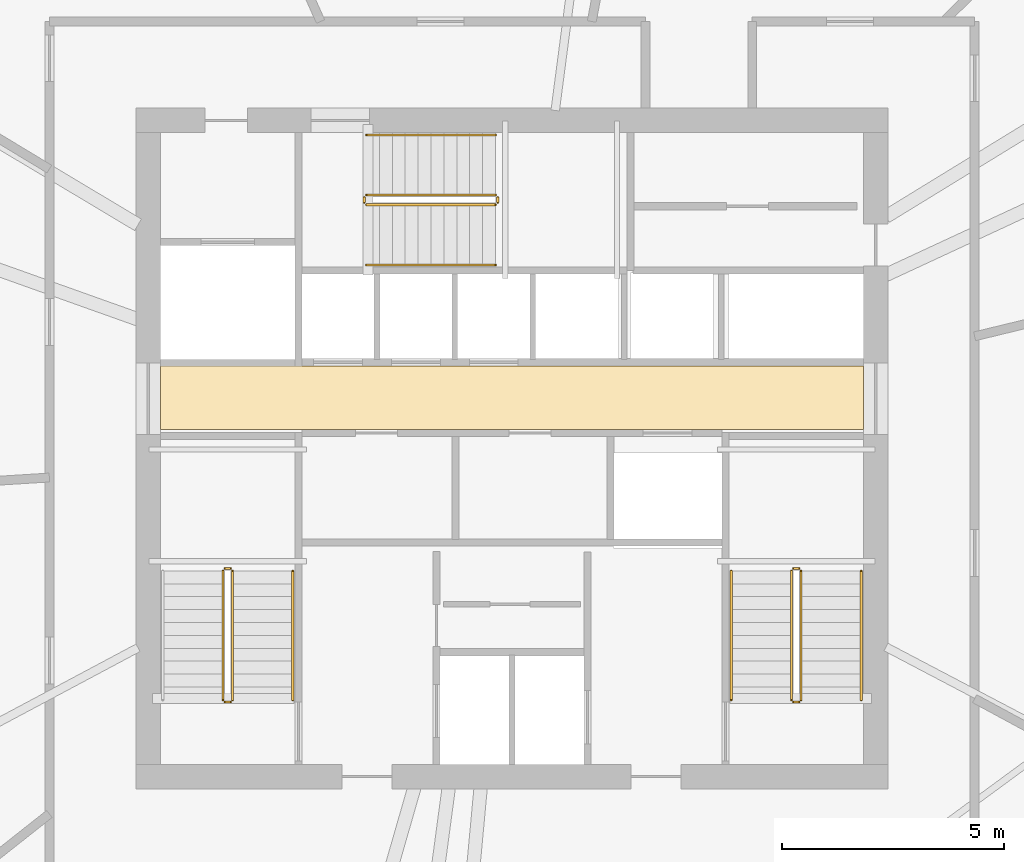
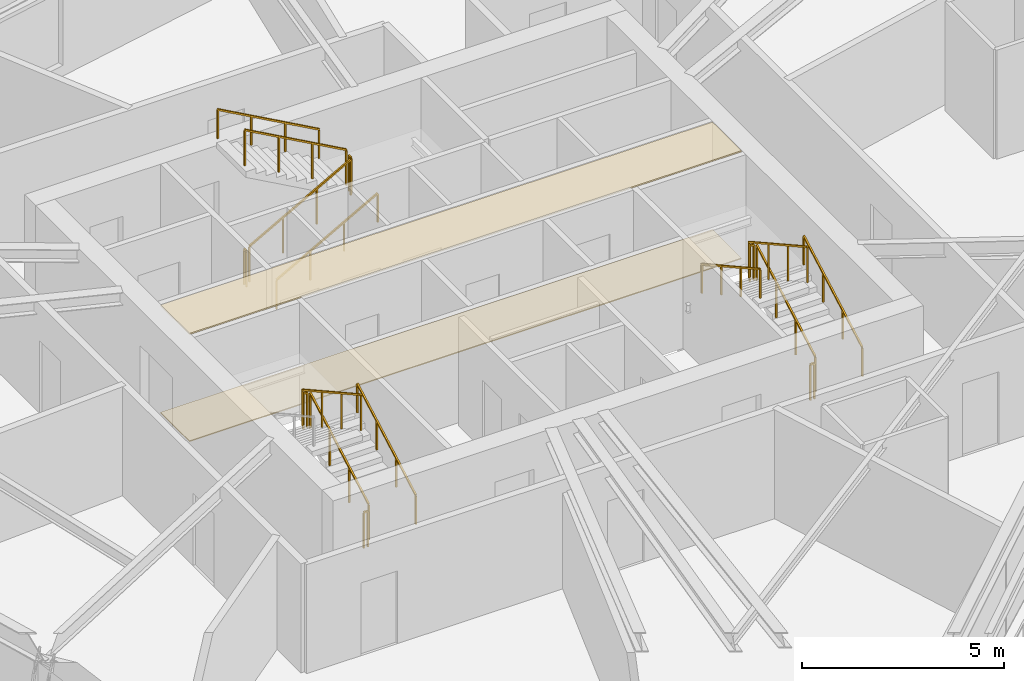
# One storey, part 14 of 15: 17 railings, 2 coverings.
"""IFC4 building model written with IfcOpenShell, lengths in metres."""

import ifcopenshell
import ifcopenshell.guid

model = None  # the IFC model being written
_history = None  # IfcOwnerHistory: only IFC2X3 demands one
_inside = {}  # id of a spatial element -> (the spatial element, [elements in it])
_under = {}  # id of a project, library or spatial element -> (it, [spatial elements below it])
_declared = {}  # id of a project -> (the project, [libraries it declares])
_typed = {}  # id of a type object -> (the type object, [elements of that type])
_made_of = {}  # id of a material, layer set ... -> (it, [elements and type objects made of it])


def new_model(schema):
    """Start an empty IFC model of exactly this schema.

    Asked for "IFC4X3", IfcOpenShell would pick the latest addendum, in which some entities
    have other attributes; the version numbers below select the first issue.
    IFC2X3 requires an IfcOwnerHistory on every rooted entity: one is made here for all.
    """
    global model, _history
    if schema == "IFC4X3":
        model = ifcopenshell.file(schema_version=(4, 3, 0, 0))
    else:
        model = ifcopenshell.file(schema=schema)
    _inside.clear()
    _under.clear()
    _declared.clear()
    _typed.clear()
    _made_of.clear()
    _history = None
    if model.schema == "IFC2X3":
        org = make("IfcOrganization", Name="unknown")
        user = make(
            "IfcPersonAndOrganization",
            ThePerson=make("IfcPerson", FamilyName="unknown"),
            TheOrganization=org,
        )
        app = make(
            "IfcApplication",
            ApplicationDeveloper=org,
            Version="unknown",
            ApplicationFullName="unknown",
            ApplicationIdentifier="unknown",
        )
        _history = make(
            "IfcOwnerHistory",
            OwningUser=user,
            OwningApplication=app,
            ChangeAction="ADDED",
            CreationDate=0,
        )
    return model


def make(cls, **values):
    """One entity of the class cls with the attributes given. An attribute that is None is left unset."""
    return model.create_entity(
        cls, **{name: value for name, value in values.items() if value is not None}
    )


def rooted(cls, **values):
    """An entity with a GlobalId (a new one), such as an element, a storey or a relation."""
    return make(cls, GlobalId=ifcopenshell.guid.new(), OwnerHistory=_history, **values)


def si_unit(unit_type, name, prefix=None):
    """IfcSIUnit, for example si_unit("LENGTHUNIT", "METRE", prefix="MILLI")."""
    return make("IfcSIUnit", UnitType=unit_type, Prefix=prefix, Name=name)


def assignment(units):
    """IfcUnitAssignment: the units of a project."""
    return None if units is None else make("IfcUnitAssignment", Units=units)


def point(xyz):
    """IfcCartesianPoint."""
    return None if xyz is None else make("IfcCartesianPoint", Coordinates=xyz)


def direction(xyz):
    """IfcDirection."""
    return None if xyz is None else make("IfcDirection", DirectionRatios=xyz)


def frame(location, z_axis=None, x_axis=None):
    """IfcAxis2Placement3D, a coordinate frame: its origin and axes. An axis left out is left unset."""
    return make(
        "IfcAxis2Placement3D",
        Location=point(location),
        Axis=direction(z_axis),
        RefDirection=direction(x_axis),
    )


def frame_2d(location, x_axis=None):
    """IfcAxis2Placement2D, a coordinate frame in the plane: its origin and x axis."""
    return make(
        "IfcAxis2Placement2D", Location=point(location), RefDirection=direction(x_axis)
    )


def origin():
    """The frame at (0, 0, 0) with its axes left unset."""
    return frame((0.0, 0.0, 0.0))


def origin_2d():
    """The frame at (0, 0) in the plane with its x axis left unset."""
    return frame_2d((0.0, 0.0))


def place(relative_to, where):
    """IfcLocalPlacement: puts the frame where relative to a parent placement (None: the world)."""
    return make(
        "IfcLocalPlacement", PlacementRelTo=relative_to, RelativePlacement=where
    )


def context(
    kind, dimensions, precision=None, world=None, true_north=None, identifier=None
):
    """IfcGeometricRepresentationContext, for example the 3D "Model" context."""
    return make(
        "IfcGeometricRepresentationContext",
        ContextIdentifier=identifier,
        ContextType=kind,
        CoordinateSpaceDimension=dimensions,
        Precision=precision,
        WorldCoordinateSystem=world,
        TrueNorth=true_north,
    )


def subcontext(parent, identifier, kind, view, scale=None):
    """IfcGeometricRepresentationSubContext, for example "Body" below "Model"."""
    return make(
        "IfcGeometricRepresentationSubContext",
        ContextIdentifier=identifier,
        ContextType=kind,
        ParentContext=parent,
        TargetScale=scale,
        TargetView=view,
    )


def project(units=None, contexts=None):
    """IfcProject with its units and contexts."""
    return rooted(
        "IfcProject",
        Name="project",
        RepresentationContexts=contexts,
        UnitsInContext=assignment(units),
    )


def spatial(cls, under=None, at=None, **own):
    """A site, building, storey or space (cls), placed at a placement, below another one or the project."""
    s = rooted(cls, ObjectPlacement=at, **own)
    if under is not None:
        _under.setdefault(under.id(), (under, []))[1].append(s)
    return s


def polyline(points):
    """IfcPolyline through the points."""
    return make("IfcPolyline", Points=[point(p) for p in points])


def profile(cls, at=None, kind="AREA", **sizes):
    """A parametric profile (cls). Its sizes go by their IFC names, for example OverallWidth=200.0."""
    return make(cls, ProfileType=kind, Position=at, **sizes)


def rectangle(**sizes):
    """IfcRectangleProfileDef."""
    return profile("IfcRectangleProfileDef", **sizes)


def outline(outer, holes=None, kind="AREA"):
    """IfcArbitraryClosedProfileDef: a profile drawn as a closed curve; with holes, ...WithVoids."""
    if holes is None:
        return make("IfcArbitraryClosedProfileDef", ProfileType=kind, OuterCurve=outer)
    return make(
        "IfcArbitraryProfileDefWithVoids",
        ProfileType=kind,
        OuterCurve=outer,
        InnerCurves=holes,
    )


def extrude(swept, where, along, depth):
    """IfcExtrudedAreaSolid: the profile swept, set in the frame where, extruded along a direction by depth."""
    return make(
        "IfcExtrudedAreaSolid",
        SweptArea=swept,
        Position=where,
        ExtrudedDirection=direction(along),
        Depth=depth,
    )


def shape(context_of_items, identifier, shape_type, items):
    """IfcShapeRepresentation: the items that make up one representation, for example the "Body"."""
    return make(
        "IfcShapeRepresentation",
        ContextOfItems=context_of_items,
        RepresentationIdentifier=identifier,
        RepresentationType=shape_type,
        Items=items,
    )


def material(Name=None, Category=None):
    """IfcMaterial."""
    return make("IfcMaterial", Name=Name, Category=Category)


def layer(
    of_material, thickness, ventilated=None, Name=None, Category=None, Priority=None
):
    """IfcMaterialLayer: one layer of a wall or slab, of a material (None: an air gap)."""
    return make(
        "IfcMaterialLayer",
        Material=of_material,
        LayerThickness=thickness,
        IsVentilated=ventilated,
        Name=Name,
        Category=Category,
        Priority=Priority,
    )


def layer_set(layers, Name=None):
    """IfcMaterialLayerSet."""
    return make("IfcMaterialLayerSet", MaterialLayers=layers, LayerSetName=Name)


def made_of(thing, what):
    """Note that an element or type object is made of a material, layer set ...; save() writes the relation."""
    if what is not None:
        _made_of.setdefault(what.id(), (what, []))[1].append(thing)
    return thing


def type_object(cls, material=None, **own):
    """A type object (cls), such as IfcWallType, which elements share."""
    return made_of(rooted(cls, **own), material)


def element(
    cls,
    number,
    at=None,
    inside=None,
    cuts=None,
    type_object=None,
    material=None,
    context=None,
    identifier="Body",
    shape_type=None,
    held_by="IfcProductDefinitionShape",
    body=None,
    shapes=None,
    **own,
):
    """One element of the class cls, such as IfcWall. Its Tag is "e" and its number.

    at: its placement. inside: the storey or other place that contains it. cuts: it is an
    opening in that element (IfcRelVoidsElement). A single representation is given by context,
    identifier, shape_type and body (its items); several are given by shapes. held_by: the class
    of the entity that holds the representations. save() writes the other relations.
    """
    e = rooted(cls, Tag="e%d" % number, ObjectPlacement=at, **own)
    if body is not None:
        shapes = [shape(context, identifier, shape_type, body)]
    if shapes is not None:
        e.Representation = make(held_by, Representations=shapes)
    if inside is not None:
        _inside.setdefault(inside.id(), (inside, []))[1].append(e)
    if cuts is not None:
        rooted(
            "IfcRelVoidsElement", RelatingBuildingElement=cuts, RelatedOpeningElement=e
        )
    if type_object is not None:
        _typed.setdefault(type_object.id(), (type_object, []))[1].append(e)
    return made_of(e, material)


def aggregate(whole, parts):
    """IfcRelAggregates: a whole, such as a stair, and the parts it consists of."""
    return rooted("IfcRelAggregates", RelatingObject=whole, RelatedObjects=parts)


def save(model, path):
    """Write the relations noted so far, then the file.

    IfcRelAggregates (storeys below a building ...), IfcRelContainedInSpatialStructure (elements
    in a storey), IfcRelDefinesByType, IfcRelAssociatesMaterial and IfcRelDeclares: one each for
    every whole, place, type object, material and project.
    """
    for whole, parts in _under.values():
        aggregate(whole, parts)
    for where, things in _inside.values():
        rooted(
            "IfcRelContainedInSpatialStructure",
            RelatedElements=things,
            RelatingStructure=where,
        )
    for kind, things in _typed.values():
        rooted("IfcRelDefinesByType", RelatedObjects=things, RelatingType=kind)
    for what, things in _made_of.values():
        rooted("IfcRelAssociatesMaterial", RelatedObjects=things, RelatingMaterial=what)
    for by, libraries in _declared.values():
        rooted("IfcRelDeclares", RelatingContext=by, RelatedDefinitions=libraries)
    model.write(path)


model = new_model("IFC4")

# Units and contexts
model_context = context("Model", 3, precision=1e-05, world=origin(), true_north=direction((0.0, 1.0)))
body_context = subcontext(model_context, "Body", "Model", "MODEL_VIEW")
ifc_project = project(units=[si_unit("LENGTHUNIT", "METRE"), si_unit("AREAUNIT", "SQUARE_METRE"), si_unit("VOLUMEUNIT", "CUBIC_METRE"), si_unit("PLANEANGLEUNIT", "RADIAN"), si_unit("MASSUNIT", "GRAM", prefix="KILO")], contexts=[model_context])

# Site, building, storey
site_placement = place(None, origin())
site = spatial("IfcSite", under=ifc_project, at=site_placement, CompositionType="ELEMENT")
building_placement = place(site_placement, origin())
building = spatial("IfcBuilding", under=site, at=building_placement, Name="Olszyna Solenne Hotel", CompositionType="ELEMENT")
storey_placement = place(building_placement, frame((0.0, 0.0, 146.60009765625)))
storey = spatial("IfcBuildingStorey", under=building, at=storey_placement, Name="L38", CompositionType="ELEMENT", Elevation=146.60009765625)

# Coverings
ifc_material_1 = material(Name="Mineral wool acoustic ceiling")
ifc_layer_1 = layer(ifc_material_1, 0.0400390625, Name="Mineral wool acoustic ceiling")
ifc_layer_set_1 = layer_set([ifc_layer_1], Name="Mineral wool acoustic ceiling")
covering_type_1 = type_object("IfcCoveringType", Name="CL-AC1", PredefinedType="CEILING", material=ifc_layer_set_1)
covering_1_placement = place(storey_placement, frame((0.0, 0.0, 3.239990234375)))
element("IfcCovering", 1, at=covering_1_placement, inside=storey, type_object=covering_type_1, Name="Lift lobby acoustic tile ceiling CL-L38-01", PredefinedType="CEILING", context=body_context, shape_type="SweptSolid", body=[
    extrude(outline(polyline([(30.10009765625, 27.030029296875), (45.89990234375, 27.030029296875), (45.89990234375, 28.4599609375), (30.10009765625, 28.4599609375), (30.10009765625, 27.030029296875)])), origin(), (0.0, 0.0, 1.0), 0.039794921875),
])
ifc_material_2 = material(Name="Ceramic floor tile")
ifc_layer_2 = layer(ifc_material_2, 0.030029296875, Name="Ceramic floor tile")
ifc_layer_set_2 = layer_set([ifc_layer_2], Name="Ceramic floor tile")
covering_type_2 = type_object("IfcCoveringType", Name="FL-TL1", PredefinedType="FLOORING", material=ifc_layer_set_2)
covering_2_placement = place(storey_placement, origin())
element("IfcCovering", 2, at=covering_2_placement, inside=storey, type_object=covering_type_2, Name="Lift lobby stoneware floor finish FLR-L38-01", PredefinedType="FLOORING", context=body_context, shape_type="SweptSolid", body=[
    extrude(outline(polyline([(30.10009765625, 27.030029296875), (45.89990234375, 27.030029296875), (45.89990234375, 28.4599609375), (30.10009765625, 28.4599609375), (30.10009765625, 27.030029296875)])), origin(), (0.0, 0.0, 1.0), 0.02978515625),
])

# Railings
ifc_material_3 = material(Name="Anodised bronze aluminium", Category="aluminium")
railing_type_1 = type_object("IfcRailingType", Name="GR-110", PredefinedType="BALUSTRADE", material=ifc_material_3)
railing_1_placement = place(storey_placement, frame((31.719970703125, 20.949951171875, 0.161376953125)))
element("IfcRailing", 3, at=railing_1_placement, inside=storey, type_object=railing_type_1, Name="L38 ST1 stair guard 1", PredefinedType="BALUSTRADE", context=body_context, shape_type="SweptSolid", body=[
    extrude(rectangle(XDim=0.048095703125, YDim=0.048095703125, at=origin_2d()), frame((0.0, 0.0, 1.076171875), z_axis=(0.0, 0.873858693841, 0.486179990537), x_axis=(-1.0, 0.0, 0.0)), (0.0, 0.0, 1.0), 3.31884765625),
    extrude(rectangle(XDim=0.0419921875, YDim=0.0419921875, at=origin_2d()), origin(), (0.0, 0.0, 1.0), 1.052001953125),
    extrude(rectangle(XDim=0.0419921875, YDim=0.0419921875, at=origin_2d()), frame((0.0, 0.966796875, 0.537841796875)), (0.0, 0.0, 1.0), 1.052001953125),
    extrude(rectangle(XDim=0.0419921875, YDim=0.0419921875, at=origin_2d()), frame((0.0, 1.933349609375, 1.07568359375)), (0.0, 0.0, 1.0), 1.052001953125),
    extrude(rectangle(XDim=0.0419921875, YDim=0.0419921875, at=origin_2d()), frame((0.0, 2.900146484375, 1.613525390625)), (0.0, 0.0, 1.0), 1.052001953125),
])
railing_2_placement = place(storey_placement, frame((31.669921875, 23.89990234375, 1.77490234375)))
element("IfcRailing", 4, at=railing_2_placement, inside=storey, type_object=railing_type_1, Name="L38 ST1 stair guard 2", PredefinedType="BALUSTRADE", context=body_context, shape_type="SweptSolid", body=[
    extrude(rectangle(XDim=0.048095703125, YDim=0.048095703125, at=origin_2d()), frame((0.0, 0.0, 1.076171875), z_axis=(-1.0, 0.0, 0.0), x_axis=(0.0, -1.0, 0.0)), (0.0, 0.0, 1.0), 0.119873046875),
    extrude(rectangle(XDim=0.0419921875, YDim=0.0419921875, at=origin_2d()), origin(), (0.0, 0.0, 1.0), 1.052001953125),
    extrude(rectangle(XDim=0.0419921875, YDim=0.0419921875, at=origin_2d()), frame((-0.119873046875, 0.0, 0.0)), (0.0, 0.0, 1.0), 1.052001953125),
])
railing_3_placement = place(storey_placement, frame((31.5, 23.85009765625, 1.936279296875)))
element("IfcRailing", 5, at=railing_3_placement, inside=storey, type_object=railing_type_1, Name="L38 ST1 stair guard 3", PredefinedType="BALUSTRADE", context=body_context, shape_type="SweptSolid", body=[
    extrude(rectangle(XDim=0.048095703125, YDim=0.048095703125, at=origin_2d()), frame((0.0, 0.0, 1.076171875), z_axis=(0.0, -0.873858693841, 0.486179990537), x_axis=(1.0, 0.0, 0.0)), (0.0, 0.0, 1.0), 3.31884765625),
    extrude(rectangle(XDim=0.0419921875, YDim=0.0419921875, at=origin_2d()), origin(), (0.0, 0.0, 1.0), 1.052001953125),
    extrude(rectangle(XDim=0.0419921875, YDim=0.0419921875, at=origin_2d()), frame((0.0, -0.966796875, 0.537841796875)), (0.0, 0.0, 1.0), 1.052001953125),
    extrude(rectangle(XDim=0.0419921875, YDim=0.0419921875, at=origin_2d()), frame((0.0, -1.933349609375, 1.07568359375)), (0.0, 0.0, 1.0), 1.052001953125),
    extrude(rectangle(XDim=0.0419921875, YDim=0.0419921875, at=origin_2d()), frame((0.0, -2.900146484375, 1.613525390625)), (0.0, 0.0, 1.0), 1.052001953125),
])
railing_4_placement = place(storey_placement, frame((31.669921875, 20.89990234375, 0.0)))
element("IfcRailing", 6, at=railing_4_placement, inside=storey, type_object=railing_type_1, Name="L38 ST1 stair guard 4", PredefinedType="BALUSTRADE", context=body_context, shape_type="SweptSolid", body=[
    extrude(rectangle(XDim=0.048095703125, YDim=0.048095703125, at=origin_2d()), frame((0.0, 0.0, 1.076171875), z_axis=(-1.0, 0.0, 0.0), x_axis=(0.0, -1.0, 0.0)), (0.0, 0.0, 1.0), 0.119873046875),
    extrude(rectangle(XDim=0.0419921875, YDim=0.0419921875, at=origin_2d()), origin(), (0.0, 0.0, 1.0), 1.052001953125),
    extrude(rectangle(XDim=0.0419921875, YDim=0.0419921875, at=origin_2d()), frame((-0.119873046875, 0.0, 0.0)), (0.0, 0.0, 1.0), 1.052001953125),
])
railing_5_placement = place(storey_placement, frame((44.5, 20.949951171875, 0.161376953125)))
element("IfcRailing", 7, at=railing_5_placement, inside=storey, type_object=railing_type_1, Name="L38 ST2 stair guard 1", PredefinedType="BALUSTRADE", context=body_context, shape_type="SweptSolid", body=[
    extrude(rectangle(XDim=0.048095703125, YDim=0.048095703125, at=origin_2d()), frame((0.0, 0.0, 1.076171875), z_axis=(0.0, 0.873858693841, 0.486179990537), x_axis=(-1.0, 0.0, 0.0)), (0.0, 0.0, 1.0), 3.31884765625),
    extrude(rectangle(XDim=0.0419921875, YDim=0.0419921875, at=origin_2d()), origin(), (0.0, 0.0, 1.0), 1.052001953125),
    extrude(rectangle(XDim=0.0419921875, YDim=0.0419921875, at=origin_2d()), frame((0.0, 0.966796875, 0.537841796875)), (0.0, 0.0, 1.0), 1.052001953125),
    extrude(rectangle(XDim=0.0419921875, YDim=0.0419921875, at=origin_2d()), frame((0.0, 1.933349609375, 1.07568359375)), (0.0, 0.0, 1.0), 1.052001953125),
    extrude(rectangle(XDim=0.0419921875, YDim=0.0419921875, at=origin_2d()), frame((0.0, 2.900146484375, 1.613525390625)), (0.0, 0.0, 1.0), 1.052001953125),
])
railing_6_placement = place(storey_placement, frame((44.449951171875, 23.89990234375, 1.77490234375)))
element("IfcRailing", 8, at=railing_6_placement, inside=storey, type_object=railing_type_1, Name="L38 ST2 stair guard 2", PredefinedType="BALUSTRADE", context=body_context, shape_type="SweptSolid", body=[
    extrude(rectangle(XDim=0.048095703125, YDim=0.048095703125, at=origin_2d()), frame((0.0, 0.0, 1.076171875), z_axis=(-1.0, 0.0, 0.0), x_axis=(0.0, -1.0, 0.0)), (0.0, 0.0, 1.0), 0.119873046875),
    extrude(rectangle(XDim=0.0419921875, YDim=0.0419921875, at=origin_2d()), origin(), (0.0, 0.0, 1.0), 1.052001953125),
    extrude(rectangle(XDim=0.0419921875, YDim=0.0419921875, at=origin_2d()), frame((-0.119873046875, 0.0, 0.0)), (0.0, 0.0, 1.0), 1.052001953125),
])
railing_7_placement = place(storey_placement, frame((44.280029296875, 23.85009765625, 1.936279296875)))
element("IfcRailing", 9, at=railing_7_placement, inside=storey, type_object=railing_type_1, Name="L38 ST2 stair guard 3", PredefinedType="BALUSTRADE", context=body_context, shape_type="SweptSolid", body=[
    extrude(rectangle(XDim=0.048095703125, YDim=0.048095703125, at=origin_2d()), frame((0.0, 0.0, 1.076171875), z_axis=(0.0, -0.873858693841, 0.486179990537), x_axis=(1.0, 0.0, 0.0)), (0.0, 0.0, 1.0), 3.31884765625),
    extrude(rectangle(XDim=0.0419921875, YDim=0.0419921875, at=origin_2d()), origin(), (0.0, 0.0, 1.0), 1.052001953125),
    extrude(rectangle(XDim=0.0419921875, YDim=0.0419921875, at=origin_2d()), frame((0.0, -0.966796875, 0.537841796875)), (0.0, 0.0, 1.0), 1.052001953125),
    extrude(rectangle(XDim=0.0419921875, YDim=0.0419921875, at=origin_2d()), frame((0.0, -1.933349609375, 1.07568359375)), (0.0, 0.0, 1.0), 1.052001953125),
    extrude(rectangle(XDim=0.0419921875, YDim=0.0419921875, at=origin_2d()), frame((0.0, -2.900146484375, 1.613525390625)), (0.0, 0.0, 1.0), 1.052001953125),
])
railing_8_placement = place(storey_placement, frame((44.449951171875, 20.89990234375, 0.0)))
element("IfcRailing", 10, at=railing_8_placement, inside=storey, type_object=railing_type_1, Name="L38 ST2 stair guard 4", PredefinedType="BALUSTRADE", context=body_context, shape_type="SweptSolid", body=[
    extrude(rectangle(XDim=0.048095703125, YDim=0.048095703125, at=origin_2d()), frame((0.0, 0.0, 1.076171875), z_axis=(-1.0, 0.0, 0.0), x_axis=(0.0, -1.0, 0.0)), (0.0, 0.0, 1.0), 0.119873046875),
    extrude(rectangle(XDim=0.0419921875, YDim=0.0419921875, at=origin_2d()), origin(), (0.0, 0.0, 1.0), 1.052001953125),
    extrude(rectangle(XDim=0.0419921875, YDim=0.0419921875, at=origin_2d()), frame((-0.119873046875, 0.0, 0.0)), (0.0, 0.0, 1.0), 1.052001953125),
])
railing_9_placement = place(storey_placement, frame((34.72998046875, 32.080078125, 0.161376953125)))
element("IfcRailing", 11, at=railing_9_placement, inside=storey, type_object=railing_type_1, Name="L38 ST3 stair guard 1", PredefinedType="BALUSTRADE", context=body_context, shape_type="SweptSolid", body=[
    extrude(rectangle(XDim=0.048095703125, YDim=0.048095703125, at=origin_2d()), frame((0.0, 0.0, 1.076171875), z_axis=(0.873841303929, 0.0, 0.486211245805), x_axis=(0.0, 1.0, 0.0)), (0.0, 0.0, 1.0), 3.318603515625),
    extrude(rectangle(XDim=0.0419921875, YDim=0.0419921875, at=origin_2d()), origin(), (0.0, 0.0, 1.0), 1.052001953125),
    extrude(rectangle(XDim=0.0419921875, YDim=0.0419921875, at=origin_2d()), frame((0.966552734375, 0.0, 0.537841796875)), (0.0, 0.0, 1.0), 1.052001953125),
    extrude(rectangle(XDim=0.0419921875, YDim=0.0419921875, at=origin_2d()), frame((1.933349609375, 0.0, 1.07568359375)), (0.0, 0.0, 1.0), 1.052001953125),
    extrude(rectangle(XDim=0.0419921875, YDim=0.0419921875, at=origin_2d()), frame((2.89990234375, 0.0, 1.613525390625)), (0.0, 0.0, 1.0), 1.052001953125),
])
railing_10_placement = place(storey_placement, frame((37.679931640625, 32.1298828125, 1.77490234375)))
element("IfcRailing", 12, at=railing_10_placement, inside=storey, type_object=railing_type_1, Name="L38 ST3 stair guard 2", PredefinedType="BALUSTRADE", context=body_context, shape_type="SweptSolid", body=[
    extrude(rectangle(XDim=0.048095703125, YDim=0.048095703125, at=origin_2d()), frame((0.0, 0.0, 1.076171875), z_axis=(0.0, 1.0, 0.0), x_axis=(-1.0, 0.0, 0.0)), (0.0, 0.0, 1.0), 0.1201171875),
    extrude(rectangle(XDim=0.0419921875, YDim=0.0419921875, at=origin_2d()), origin(), (0.0, 0.0, 1.0), 1.052001953125),
    extrude(rectangle(XDim=0.0419921875, YDim=0.0419921875, at=origin_2d()), frame((0.0, 0.1201171875, 0.0)), (0.0, 0.0, 1.0), 1.052001953125),
])
railing_11_placement = place(storey_placement, frame((37.6298828125, 32.300048828125, 1.936279296875)))
element("IfcRailing", 13, at=railing_11_placement, inside=storey, type_object=railing_type_1, Name="L38 ST3 stair guard 3", PredefinedType="BALUSTRADE", context=body_context, shape_type="SweptSolid", body=[
    extrude(rectangle(XDim=0.048095703125, YDim=0.048095703125, at=origin_2d()), frame((0.0, 0.0, 1.076171875), z_axis=(-0.873841303929, 0.0, 0.486211245805), x_axis=(0.0, -1.0, 0.0)), (0.0, 0.0, 1.0), 3.318603515625),
    extrude(rectangle(XDim=0.0419921875, YDim=0.0419921875, at=origin_2d()), origin(), (0.0, 0.0, 1.0), 1.052001953125),
    extrude(rectangle(XDim=0.0419921875, YDim=0.0419921875, at=origin_2d()), frame((-0.966552734375, 0.0, 0.537841796875)), (0.0, 0.0, 1.0), 1.052001953125),
    extrude(rectangle(XDim=0.0419921875, YDim=0.0419921875, at=origin_2d()), frame((-1.933349609375, 0.0, 1.07568359375)), (0.0, 0.0, 1.0), 1.052001953125),
    extrude(rectangle(XDim=0.0419921875, YDim=0.0419921875, at=origin_2d()), frame((-2.89990234375, 0.0, 1.613525390625)), (0.0, 0.0, 1.0), 1.052001953125),
])
railing_12_placement = place(storey_placement, frame((34.679931640625, 32.1298828125, 0.0)))
element("IfcRailing", 14, at=railing_12_placement, inside=storey, type_object=railing_type_1, Name="L38 ST3 stair guard 4", PredefinedType="BALUSTRADE", context=body_context, shape_type="SweptSolid", body=[
    extrude(rectangle(XDim=0.048095703125, YDim=0.048095703125, at=origin_2d()), frame((0.0, 0.0, 1.076171875), z_axis=(0.0, 1.0, 0.0), x_axis=(-1.0, 0.0, 0.0)), (0.0, 0.0, 1.0), 0.1201171875),
    extrude(rectangle(XDim=0.0419921875, YDim=0.0419921875, at=origin_2d()), origin(), (0.0, 0.0, 1.0), 1.052001953125),
    extrude(rectangle(XDim=0.0419921875, YDim=0.0419921875, at=origin_2d()), frame((0.0, 0.1201171875, 0.0)), (0.0, 0.0, 1.0), 1.052001953125),
])
ifc_material_4 = material(Name="Steel S355J2", Category="steel")
railing_type_2 = type_object("IfcRailingType", Name="HR-090", PredefinedType="HANDRAIL", material=ifc_material_4)
for number, where, name in (
    (15, (33.070068359375, 20.949951171875, 0.161376953125), "L38 ST1 stair handrail 1"),
    (16, (45.85009765625, 20.949951171875, 0.161376953125), "L38 ST2 stair handrail 1"),
):
    element("IfcRailing", number, at=place(storey_placement, frame(where)), inside=storey, type_object=railing_type_2, Name=name, PredefinedType="HANDRAIL", context=body_context, shape_type="SweptSolid", body=[
        extrude(rectangle(XDim=0.048095703125, YDim=0.048095703125, at=origin_2d()), frame((0.0, 0.0, 0.8759765625), z_axis=(0.0, 0.873858693841, 0.486179990537), x_axis=(-1.0, 0.0, 0.0)), (0.0, 0.0, 1.0), 3.31884765625),
        extrude(rectangle(XDim=0.0419921875, YDim=0.0419921875, at=origin_2d()), origin(), (0.0, 0.0, 1.0), 0.851806640625),
        extrude(rectangle(XDim=0.0419921875, YDim=0.0419921875, at=origin_2d()), frame((0.0, 0.966796875, 0.537841796875)), (0.0, 0.0, 1.0), 0.851806640625),
        extrude(rectangle(XDim=0.0419921875, YDim=0.0419921875, at=origin_2d()), frame((0.0, 1.933349609375, 1.07568359375)), (0.0, 0.0, 1.0), 0.851806640625),
        extrude(rectangle(XDim=0.0419921875, YDim=0.0419921875, at=origin_2d()), frame((0.0, 2.900146484375, 1.613525390625)), (0.0, 0.0, 1.0), 0.851806640625),
    ])
railing_13_placement = place(storey_placement, frame((42.929931640625, 23.85009765625, 1.936279296875)))
element("IfcRailing", 17, at=railing_13_placement, inside=storey, type_object=railing_type_2, Name="L38 ST2 stair handrail 2", PredefinedType="HANDRAIL", context=body_context, shape_type="SweptSolid", body=[
    extrude(rectangle(XDim=0.048095703125, YDim=0.048095703125, at=origin_2d()), frame((0.0, 0.0, 0.8759765625), z_axis=(0.0, -0.873858693841, 0.486179990537), x_axis=(1.0, 0.0, 0.0)), (0.0, 0.0, 1.0), 3.31884765625),
    extrude(rectangle(XDim=0.0419921875, YDim=0.0419921875, at=origin_2d()), origin(), (0.0, 0.0, 1.0), 0.851806640625),
    extrude(rectangle(XDim=0.0419921875, YDim=0.0419921875, at=origin_2d()), frame((0.0, -0.966796875, 0.537841796875)), (0.0, 0.0, 1.0), 0.851806640625),
    extrude(rectangle(XDim=0.0419921875, YDim=0.0419921875, at=origin_2d()), frame((0.0, -1.933349609375, 1.07568359375)), (0.0, 0.0, 1.0), 0.851806640625),
    extrude(rectangle(XDim=0.0419921875, YDim=0.0419921875, at=origin_2d()), frame((0.0, -2.900146484375, 1.613525390625)), (0.0, 0.0, 1.0), 0.851806640625),
])
railing_14_placement = place(storey_placement, frame((34.72998046875, 30.72998046875, 0.161376953125)))
element("IfcRailing", 18, at=railing_14_placement, inside=storey, type_object=railing_type_2, Name="L38 ST3 stair handrail 1", PredefinedType="HANDRAIL", context=body_context, shape_type="SweptSolid", body=[
    extrude(rectangle(XDim=0.048095703125, YDim=0.048095703125, at=origin_2d()), frame((0.0, 0.0, 0.8759765625), z_axis=(0.873841303929, 0.0, 0.486211245805), x_axis=(0.0, 1.0, 0.0)), (0.0, 0.0, 1.0), 3.318603515625),
    extrude(rectangle(XDim=0.0419921875, YDim=0.0419921875, at=origin_2d()), origin(), (0.0, 0.0, 1.0), 0.851806640625),
    extrude(rectangle(XDim=0.0419921875, YDim=0.0419921875, at=origin_2d()), frame((0.966552734375, 0.0, 0.537841796875)), (0.0, 0.0, 1.0), 0.851806640625),
    extrude(rectangle(XDim=0.0419921875, YDim=0.0419921875, at=origin_2d()), frame((1.933349609375, 0.0, 1.07568359375)), (0.0, 0.0, 1.0), 0.851806640625),
    extrude(rectangle(XDim=0.0419921875, YDim=0.0419921875, at=origin_2d()), frame((2.89990234375, 0.0, 1.613525390625)), (0.0, 0.0, 1.0), 0.851806640625),
])
railing_15_placement = place(storey_placement, frame((37.6298828125, 33.64990234375, 1.936279296875)))
element("IfcRailing", 19, at=railing_15_placement, inside=storey, type_object=railing_type_2, Name="L38 ST3 stair handrail 2", PredefinedType="HANDRAIL", context=body_context, shape_type="SweptSolid", body=[
    extrude(rectangle(XDim=0.048095703125, YDim=0.048095703125, at=origin_2d()), frame((0.0, 0.0, 0.8759765625), z_axis=(-0.873841303929, 0.0, 0.486211245805), x_axis=(0.0, -1.0, 0.0)), (0.0, 0.0, 1.0), 3.318603515625),
    extrude(rectangle(XDim=0.0419921875, YDim=0.0419921875, at=origin_2d()), origin(), (0.0, 0.0, 1.0), 0.851806640625),
    extrude(rectangle(XDim=0.0419921875, YDim=0.0419921875, at=origin_2d()), frame((-0.966552734375, 0.0, 0.537841796875)), (0.0, 0.0, 1.0), 0.851806640625),
    extrude(rectangle(XDim=0.0419921875, YDim=0.0419921875, at=origin_2d()), frame((-1.933349609375, 0.0, 1.07568359375)), (0.0, 0.0, 1.0), 0.851806640625),
    extrude(rectangle(XDim=0.0419921875, YDim=0.0419921875, at=origin_2d()), frame((-2.89990234375, 0.0, 1.613525390625)), (0.0, 0.0, 1.0), 0.851806640625),
])

save(model, "model.ifc")
